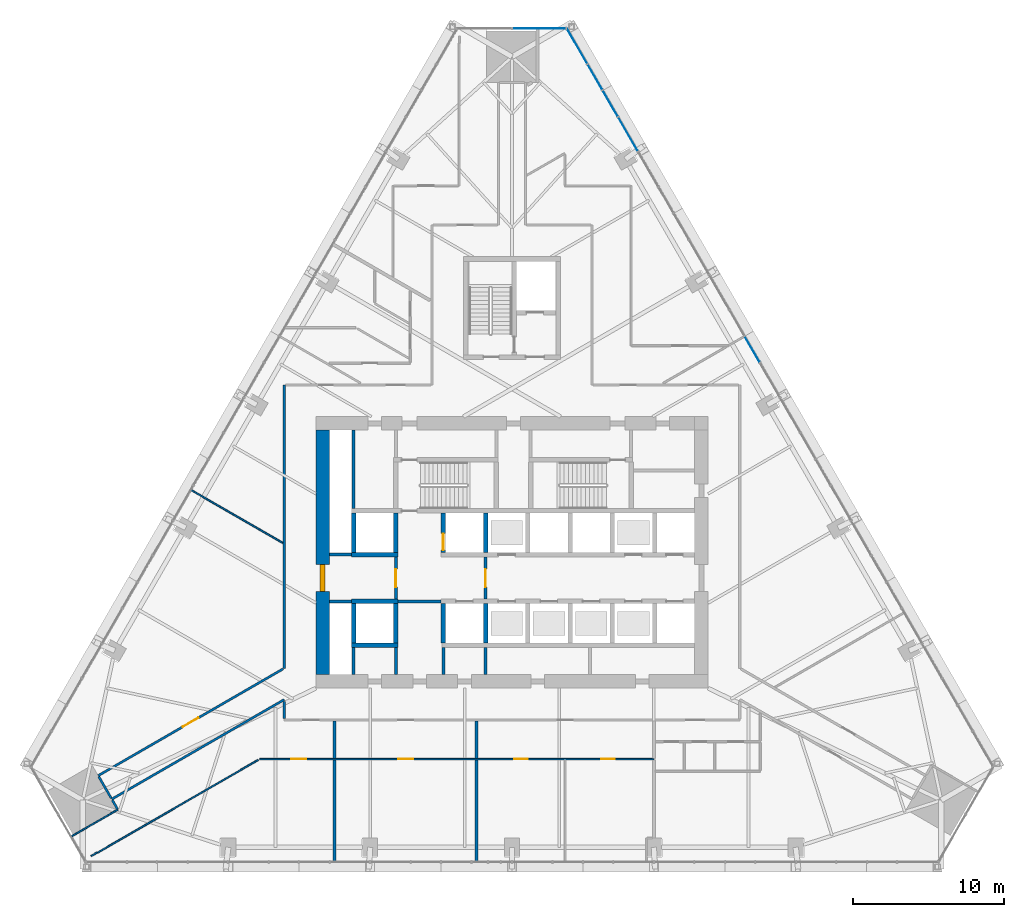
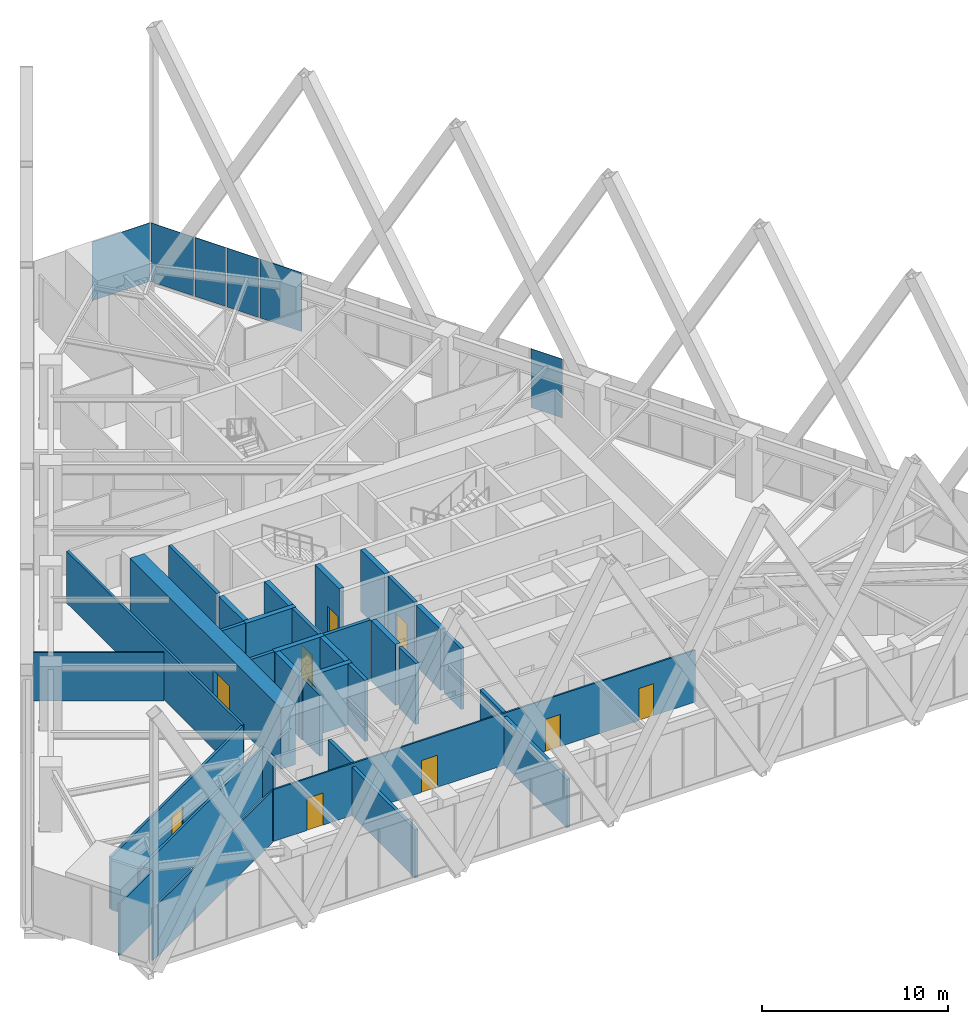
# One storey, part 15 of 21: 37 walls, 9 doors, 6 plates, 9 openings, 2 elements without a shape of their own.
"""IFC4 building model written with IfcOpenShell, lengths in metres."""

from ifc_helpers import new_model, si_unit, direction, frame, frame_2d, origin, place, context, subcontext, project, spatial, polyline, rectangle, outline, extrude, material, layer, layer_set, type_object, element, fill, aggregate, save


model = new_model("IFC4")

# Units and contexts
model_context = context("Model", 3, precision=1e-05, world=origin(), true_north=direction((0.0, 1.0)))
body_context = subcontext(model_context, "Body", "Model", "MODEL_VIEW")
ifc_project = project(units=[si_unit("LENGTHUNIT", "METRE"), si_unit("AREAUNIT", "SQUARE_METRE"), si_unit("VOLUMEUNIT", "CUBIC_METRE"), si_unit("PLANEANGLEUNIT", "RADIAN"), si_unit("MASSUNIT", "GRAM", prefix="KILO")], contexts=[model_context])

# Site, building, storey
site_placement = place(None, origin())
site = spatial("IfcSite", under=ifc_project, at=site_placement, CompositionType="ELEMENT")
building_placement = place(site_placement, origin())
building = spatial("IfcBuilding", under=site, at=building_placement, Name="Firuza Gate Tower and Library", CompositionType="ELEMENT")
storey_placement = place(building_placement, frame((0.0, 0.0, 90.39990234375)))
storey = spatial("IfcBuildingStorey", under=building, at=storey_placement, Name="L20", CompositionType="ELEMENT", Elevation=90.39990234375)

# Curtain wall, plate
ifc_material_1 = material(Name="Aluminium 6063-T6", Category="aluminium")
ifc_layer_1 = layer(ifc_material_1, 0.14990234375)
ifc_layer_set_1 = layer_set([ifc_layer_1], Name="Corner curtain wall, chamfers")
curtain_wall_type_1 = type_object("IfcCurtainWallType", Name="Corner curtain wall, chamfers", PredefinedType="NOTDEFINED", material=ifc_layer_set_1)
placement = place(storey_placement, origin())
curtain_wall_1 = element("IfcCurtainWall", 1, at=placement, inside=storey, type_object=curtain_wall_type_1, Name="CW4 L20 N corner", PredefinedType="NOTDEFINED")
ifc_material_2 = material(Name="Fritted glass", Category="glass")
ifc_layer_2 = layer(ifc_material_2, 0.030029296875)
ifc_layer_set_2 = layer_set([ifc_layer_2], Name="Fritted glass unit, corners")
plate_type_1 = type_object("IfcPlateType", Name="Fritted glass unit, corners", PredefinedType="CURTAIN_PANEL", material=ifc_layer_set_2)
plate_1_placement = place(storey_placement, frame((78.603271484375, 109.74267578125, 0.150146484375), z_axis=(0.0, 1.0, 0.0), x_axis=(-1.0, 0.0, 0.0)))
plate_1 = element("IfcPlate", 2, at=plate_1_placement, type_object=plate_type_1, Name="Glass unit", PredefinedType="CURTAIN_PANEL", context=body_context, shape_type="SweptSolid", body=[
    extrude(outline(polyline([(0.0, 0.0), (3.563232421875, 0.0), (3.563232421875, 3.849853515625), (0.0, 3.849853515625), (0.0, 0.0)])), origin(), (0.0, 0.0, -1.0), 0.030029296875),
])
aggregate(curtain_wall_1, [plate_1])

# Curtain wall, plates
ifc_material_3 = material(Name="Aluminium 6063-T6", Category="aluminium")
ifc_layer_3 = layer(ifc_material_3, 0.14990234375)
ifc_layer_set_3 = layer_set([ifc_layer_3], Name="Unitised curtain wall, offices")
curtain_wall_type_2 = type_object("IfcCurtainWallType", Name="Unitised curtain wall, offices", PredefinedType="NOTDEFINED", material=ifc_layer_set_3)
curtain_wall_2 = element("IfcCurtainWall", 3, at=placement, inside=storey, type_object=curtain_wall_type_2, Name="CW1 L20 E face", PredefinedType="NOTDEFINED")
ifc_material_4 = material(Name="Fritted glass", Category="glass")
ifc_layer_4 = layer(ifc_material_4, 0.030029296875)
ifc_layer_set_4 = layer_set([ifc_layer_4], Name="Fritted glass unit, offices")
plate_type_2 = type_object("IfcPlateType", Name="Fritted glass unit, offices", PredefinedType="CURTAIN_PANEL", material=ifc_layer_set_4)
plate_2_placement = place(storey_placement, frame((91.42041015625, 87.626953125, 0.150146484375), z_axis=(0.866016163673, 0.500016004, 0.0), x_axis=(-0.500016004, 0.866016163673, 0.0)))
plate_2 = element("IfcPlate", 4, at=plate_2_placement, type_object=plate_type_2, Name="Glass unit", PredefinedType="CURTAIN_PANEL", context=body_context, shape_type="SweptSolid", body=[
    extrude(outline(polyline([(0.0, 0.0), (1.9437854395637704, 0.0), (1.9437854395637704, 3.849853515625001), (0.0, 3.849853515625001), (0.0, 0.0)])), origin(), (0.0, 0.0, -1.0), 0.030029296875),
])
plate_3_placement = place(storey_placement, frame((82.01708984375, 103.9140625, 0.150146484375), z_axis=(0.866041328748, 0.499972416139, 0.0), x_axis=(-0.499972416139, 0.866041328748, 0.0)))
plate_3 = element("IfcPlate", 5, at=plate_3_placement, type_object=plate_type_2, Name="Glass unit", PredefinedType="CURTAIN_PANEL", context=body_context, shape_type="SweptSolid", body=[
    extrude(outline(polyline([(0.0, 0.0), (1.9727650829546393, 0.0), (1.9727650829546393, 3.849853515625), (0.0, 3.849853515625), (0.0, 0.0)])), origin(), (0.0, 0.0, -1.0), 0.030029296875),
])
plate_4_placement = place(storey_placement, frame((80.99072265625, 105.69189453125, 0.150146484375), z_axis=(0.866052964615, 0.499952260202, 0.0), x_axis=(-0.499952260202, 0.866052964615, 0.0)))
plate_4 = element("IfcPlate", 6, at=plate_4_placement, type_object=plate_type_2, Name="Glass unit", PredefinedType="CURTAIN_PANEL", context=body_context, shape_type="SweptSolid", body=[
    extrude(outline(polyline([(0.0, 0.0), (1.900572090855075, 0.0), (1.900572090855075, 3.849853515625), (0.0, 3.849853515625), (0.0, 0.0)])), origin(), (0.0, 0.0, -1.0), 0.030029296875),
])
ifc_material_5 = material(Name="Glazed ceramic tile")
ifc_layer_5 = layer(ifc_material_5, 0.030029296875)
ifc_layer_set_5 = layer_set([ifc_layer_5], Name="Opaque ceramic panel, offices")
plate_type_3 = type_object("IfcPlateType", Name="Opaque ceramic panel, offices", PredefinedType="CURTAIN_PANEL", material=ifc_layer_set_5)
plate_5_placement = place(storey_placement, frame((83.34521484375, 101.61376953125, 0.150146484375), z_axis=(0.866018294426, 0.500012313569, 0.0), x_axis=(-0.500012313569, 0.866018294426, 0.0)))
plate_5 = element("IfcPlate", 7, at=plate_5_placement, type_object=plate_type_3, Name="Opaque ceramic panel", PredefinedType="CURTAIN_PANEL", context=body_context, shape_type="SweptSolid", body=[
    extrude(outline(polyline([(0.0, 0.0), (2.576108432824416, 0.0), (2.576108432824416, 3.849853515625), (0.0, 3.849853515625), (0.0, 0.0)])), origin(), (0.0, 0.0, -1.0), 0.030029296875),
])
plate_6_placement = place(storey_placement, frame((80.00048828125, 107.406982421875, 0.150146484375), z_axis=(0.866010570869, 0.500025690483, 0.0), x_axis=(-0.500025690483, 0.866010570869, 0.0)))
plate_6 = element("IfcPlate", 8, at=plate_6_placement, type_object=plate_type_3, Name="Opaque ceramic panel", PredefinedType="CURTAIN_PANEL", context=body_context, shape_type="SweptSolid", body=[
    extrude(outline(polyline([(0.0, 0.0), (2.6483014277158157, 0.0), (2.6483014277158157, 3.849853515625001), (0.0, 3.849853515625001), (0.0, 0.0)])), origin(), (0.0, 0.0, -1.0), 0.030029296875),
])
aggregate(curtain_wall_2, [plate_2, plate_5, plate_3, plate_4, plate_6])

# Walls
ifc_material_6 = material(Name="Plasterboard on steel studs", Category="steel")
ifc_layer_6 = layer(ifc_material_6, 0.199951171875)
ifc_layer_set_6 = layer_set([ifc_layer_6], Name="Core partition 200 EI 120")
wall_type_1 = type_object("IfcWallType", Name="Core partition 200 EI 120", PredefinedType="PARTITIONING", material=ifc_layer_set_6)
wall_1_placement = place(storey_placement, frame((62.89990234375, 71.75, 0.0), z_axis=(0.0, 0.0, 1.0), x_axis=(1.0, 0.0, 0.0)))
element("IfcWall", 9, at=wall_1_placement, inside=storey, type_object=wall_type_1, Name="Core partition L20 1", PredefinedType="PARTITIONING", context=body_context, shape_type="SweptSolid", body=[
    extrude(rectangle(XDim=1.4501953125, YDim=0.199951171875, at=frame_2d((0.72509765625, 0.0))), origin(), (0.0, 0.0, 1.0), 4.0),
])
wall_2_placement = place(storey_placement, frame((67.449951171875, 71.75, 0.0), z_axis=(0.0, 0.0, 1.0), x_axis=(1.0, 0.0, 0.0)))
element("IfcWall", 10, at=wall_2_placement, inside=storey, type_object=wall_type_1, Name="Core partition L20 2", PredefinedType="PARTITIONING", context=body_context, shape_type="SweptSolid", body=[
    extrude(rectangle(XDim=2.85009765625, YDim=0.199951171875, at=frame_2d((1.425048828125, 0.0))), origin(), (0.0, 0.0, 1.0), 4.0),
])
wall_3_placement = place(storey_placement, frame((62.89990234375, 74.85009765625, 0.0), z_axis=(0.0, 0.0, 1.0), x_axis=(1.0, 0.0, 0.0)))
element("IfcWall", 11, at=wall_3_placement, inside=storey, type_object=wall_type_1, Name="Core partition L20 3", PredefinedType="PARTITIONING", context=body_context, shape_type="SweptSolid", body=[
    extrude(rectangle(XDim=1.4501953125, YDim=0.199951171875, at=frame_2d((0.72509765625, 0.0))), origin(), (0.0, 0.0, 1.0), 4.0),
])
wall_4_placement = place(storey_placement, frame((64.5, 66.89990234375, 0.0), z_axis=(0.0, 0.0, 1.0), x_axis=(0.0, 1.0, 0.0)))
element("IfcWall", 12, at=wall_4_placement, inside=storey, type_object=wall_type_1, Name="Core partition L20 5", PredefinedType="PARTITIONING", context=body_context, shape_type="SweptSolid", body=[
    extrude(rectangle(XDim=1.800048828125, YDim=0.199951171875, at=frame_2d((0.89990234375, 0.0))), origin(), (0.0, 0.0, 1.0), 4.0),
])
wall_5_placement = place(storey_placement, frame((64.5, 77.89990234375, 0.0), z_axis=(0.0, 0.0, 1.0), x_axis=(0.0, 1.0, 0.0)))
element("IfcWall", 13, at=wall_5_placement, inside=storey, type_object=wall_type_1, Name="Core partition L20 6", PredefinedType="PARTITIONING", context=body_context, shape_type="SweptSolid", body=[
    extrude(rectangle(XDim=5.2001953125, YDim=0.199951171875, at=frame_2d((2.60009765625, 0.0))), origin(), (0.0, 0.0, 1.0), 4.0),
])
for number, where, z_axis, x_axis, name in (
    (14, (67.300048828125, 66.89990234375, 0.0), (0.0, 0.0, 1.0), (0.0, 1.0, 0.0), "Core partition L20 7"),
    (15, (70.449951171875, 66.89990234375, 0.0), (0.0, 0.0, 1.0), (0.0, 1.0, 0.0), "Core partition L20 10"),
    (16, (73.25, 66.89990234375, 0.0), (0.0, 0.0, 1.0), (0.0, 1.0, 0.0), "Core partition L20 11"),
):
    element("IfcWall", number, at=place(storey_placement, frame(where, z_axis=z_axis, x_axis=x_axis)), inside=storey, type_object=wall_type_1, Name=name, PredefinedType="PARTITIONING", context=body_context, shape_type="SweptSolid", body=[
        extrude(rectangle(XDim=1.800048828125, YDim=0.199951171875, at=frame_2d((0.89990234375, 0.0))), origin(), (0.0, 0.0, 1.0), 4.0),
    ])

# Wall, opening, door
ifc_material_7 = material(Name="Plasterboard on steel studs", Category="steel")
ifc_layer_7 = layer(ifc_material_7, 0.199951171875)
ifc_layer_set_7 = layer_set([ifc_layer_7], Name="Core partition 200 EI 60")
wall_type_2 = type_object("IfcWallType", Name="Core partition 200 EI 60", PredefinedType="PARTITIONING", material=ifc_layer_set_7)
wall_6_placement = place(storey_placement, frame((67.300048828125, 71.89990234375, 0.0), z_axis=(0.0, 0.0, 1.0), x_axis=(0.0, 1.0, 0.0)))
wall_6 = element("IfcWall", 17, at=wall_6_placement, inside=storey, type_object=wall_type_2, Name="Core partition L20 8", PredefinedType="PARTITIONING", context=body_context, shape_type="SweptSolid", body=[
    extrude(rectangle(XDim=2.800048828125, YDim=0.199951171875, at=frame_2d((1.39990234375, 0.0))), origin(), (0.0, 0.0, 1.0), 4.0),
])
opening_1_placement = place(wall_6_placement, frame((0.800048828125, 0.0, 0.0)))
opening_1 = element("IfcOpeningElement", 18, at=opening_1_placement, cuts=wall_6, Name="Opening L20-K21", PredefinedType="OPENING", context=body_context, shape_type="SweptSolid", body=[
    extrude(rectangle(XDim=1.199951171875, YDim=2.10009765625, at=frame_2d((0.60009765625, 1.050048828125))), frame((0.0, 0.10986328125, 0.0), z_axis=(0.0, -1.0, 0.0), x_axis=(1.0, 0.0, 0.0)), (0.0, 0.0, 1.0), 0.219970703125),
])
ifc_material_8 = material(Name="Steel", Category="steel")
door_type_1 = type_object("IfcDoorType", Name="Fire door 1200x2100 FD90S", OperationType="NOTDEFINED", PredefinedType="DOOR", material=ifc_material_8)
door_1_placement = place(opening_1_placement, origin())
door_1 = element("IfcDoor", 19, at=door_1_placement, inside=storey, type_object=door_type_1, Name="Door L20-K21", OperationType="SINGLE_SWING_RIGHT", OverallHeight=2.10009765625, OverallWidth=1.199951171875, PredefinedType="DOOR", context=body_context, shape_type="SweptSolid", body=[
    extrude(rectangle(XDim=1.199951171875, YDim=2.10009765625, at=frame_2d((0.60009765625, 1.050048828125))), frame((0.0, 0.02490234375, 0.0), z_axis=(0.0, -1.0, 0.0), x_axis=(1.0, 0.0, 0.0)), (0.0, 0.0, 1.0), 0.050048828125),
])
fill(opening_1, door_1)

wall_7_placement = place(storey_placement, frame((73.25, 71.89990234375, 0.0), z_axis=(0.0, 0.0, 1.0), x_axis=(0.0, 1.0, 0.0)))
wall_7 = element("IfcWall", 20, at=wall_7_placement, inside=storey, type_object=wall_type_2, Name="Core partition L20 12", PredefinedType="PARTITIONING", context=body_context, shape_type="SweptSolid", body=[
    extrude(rectangle(XDim=2.800048828125, YDim=0.199951171875, at=frame_2d((1.39990234375, 0.0))), origin(), (0.0, 0.0, 1.0), 4.0),
])
opening_2_placement = place(wall_7_placement, frame((0.800048828125, 0.0, 0.0)))
opening_2 = element("IfcOpeningElement", 21, at=opening_2_placement, cuts=wall_7, Name="Opening L20-K20", PredefinedType="OPENING", context=body_context, shape_type="SweptSolid", body=[
    extrude(rectangle(XDim=1.199951171875, YDim=2.10009765625, at=frame_2d((0.60009765625, 1.050048828125))), frame((0.0, 0.10986328125, 0.0), z_axis=(0.0, -1.0, 0.0), x_axis=(1.0, 0.0, 0.0)), (0.0, 0.0, 1.0), 0.219970703125),
])
door_2_placement = place(opening_2_placement, origin())
door_2 = element("IfcDoor", 22, at=door_2_placement, inside=storey, type_object=door_type_1, Name="Door L20-K20", OperationType="SINGLE_SWING_LEFT", OverallHeight=2.10009765625, OverallWidth=1.199951171875, PredefinedType="DOOR", context=body_context, shape_type="SweptSolid", body=[
    extrude(rectangle(XDim=1.199951171875, YDim=2.10009765625, at=frame_2d((0.60009765625, 1.050048828125))), frame((0.0, 0.02490234375, 0.0), z_axis=(0.0, -1.0, 0.0), x_axis=(1.0, 0.0, 0.0)), (0.0, 0.0, 1.0), 0.050048828125),
])
fill(opening_2, door_2)

# Walls
ifc_material_9 = material(Name="Concrete C80/95", Category="concrete")
ifc_layer_8 = layer(ifc_material_9, 0.300048828125)
ifc_layer_set_8 = layer_set([ifc_layer_8], Name="Core wall 300 C80/95")
wall_type_3 = type_object("IfcWallType", Name="Core wall 300 C80/95", PredefinedType="SHEAR", material=ifc_layer_set_8)
for number, where, z_axis, x_axis, name in (
    (23, (64.35009765625, 68.85009765625, 0.0), (0.0, 0.0, 1.0), (1.0, 0.0, 0.0), "Core wall L20 5"),
    (24, (64.35009765625, 71.75, 0.0), (0.0, 0.0, 1.0), (1.0, 0.0, 0.0), "Core wall L20 7"),
    (25, (64.35009765625, 74.85009765625, 0.0), (0.0, 0.0, 1.0), (1.0, 0.0, 0.0), "Core wall L20 9"),
):
    element("IfcWall", number, at=place(storey_placement, frame(where, z_axis=z_axis, x_axis=x_axis)), inside=storey, type_object=wall_type_3, Name=name, PredefinedType="SHEAR", context=body_context, shape_type="SweptSolid", body=[
        extrude(rectangle(XDim=3.099853515625, YDim=0.300048828125, at=frame_2d((1.5498046875, 0.0))), origin(), (0.0, 0.0, 1.0), 4.0),
    ])
for number, where, z_axis, x_axis, name in (
    (26, (64.5, 69.0, 0.0), (0.0, 0.0, 1.0), (0.0, 1.0, 0.0), "Core wall L20 11"),
    (27, (64.5, 75.0, 0.0), (0.0, 0.0, 1.0), (0.0, 1.0, 0.0), "Core wall L20 12"),
    (28, (67.300048828125, 69.0, 0.0), (0.0, 0.0, 1.0), (0.0, 1.0, 0.0), "Core wall L20 13"),
    (29, (67.300048828125, 75.0, 0.0), (0.0, 0.0, 1.0), (0.0, 1.0, 0.0), "Core wall L20 14"),
    (30, (70.449951171875, 69.0, 0.0), (0.0, 0.0, 1.0), (0.0, 1.0, 0.0), "Core wall L20 15"),
):
    element("IfcWall", number, at=place(storey_placement, frame(where, z_axis=z_axis, x_axis=x_axis)), inside=storey, type_object=wall_type_3, Name=name, PredefinedType="SHEAR", context=body_context, shape_type="SweptSolid", body=[
        extrude(rectangle(XDim=2.60009765625, YDim=0.300048828125, at=frame_2d((1.300048828125, 0.0))), origin(), (0.0, 0.0, 1.0), 4.0),
    ])

# Wall, opening, door
wall_8_placement = place(storey_placement, frame((70.449951171875, 75.0, 0.0), z_axis=(0.0, 0.0, 1.0), x_axis=(0.0, 1.0, 0.0)))
wall_8 = element("IfcWall", 31, at=wall_8_placement, inside=storey, type_object=wall_type_3, Name="Core wall L20 16", PredefinedType="SHEAR", context=body_context, shape_type="SweptSolid", body=[
    extrude(rectangle(XDim=2.60009765625, YDim=0.300048828125, at=frame_2d((1.300048828125, 0.0))), origin(), (0.0, 0.0, 1.0), 4.0),
])
opening_3_placement = place(wall_8_placement, frame((0.14990234375, 0.0, 0.0)))
opening_3 = element("IfcOpeningElement", 32, at=opening_3_placement, cuts=wall_8, Name="Opening LD-FF2-L20", PredefinedType="OPENING", context=body_context, shape_type="SweptSolid", body=[
    extrude(rectangle(XDim=1.10009765625, YDim=2.10009765625, at=frame_2d((0.550048828125, 1.050048828125))), frame((0.0, 0.16015625, 0.0), z_axis=(0.0, -1.0, 0.0), x_axis=(1.0, 0.0, 0.0)), (0.0, 0.0, 1.0), 0.320068359375),
])
ifc_material_10 = material(Name="Stainless steel", Category="steel")
door_type_2 = type_object("IfcDoorType", Name="Lift landing door 1100x2100", OperationType="DOUBLE_DOOR_SLIDING", PredefinedType="DOOR", material=ifc_material_10)
door_3_placement = place(opening_3_placement, origin())
door_3 = element("IfcDoor", 33, at=door_3_placement, inside=storey, type_object=door_type_2, Name="Landing door FF2 L20", OperationType="DOUBLE_DOOR_SLIDING", OverallHeight=2.10009765625, OverallWidth=1.10009765625, PredefinedType="DOOR", context=body_context, shape_type="SweptSolid", body=[
    extrude(rectangle(XDim=1.10009765625, YDim=2.10009765625, at=frame_2d((0.550048828125, 1.050048828125))), frame((0.0, 0.02490234375, 0.0), z_axis=(0.0, -1.0, 0.0), x_axis=(1.0, 0.0, 0.0)), (0.0, 0.0, 1.0), 0.050048828125),
])
fill(opening_3, door_3)

# Walls
for number, where, z_axis, x_axis, name in (
    (34, (73.25, 69.0, 0.0), (0.0, 0.0, 1.0), (0.0, 1.0, 0.0), "Core wall L20 17"),
    (35, (73.25, 75.0, 0.0), (0.0, 0.0, 1.0), (0.0, 1.0, 0.0), "Core wall L20 18"),
):
    element("IfcWall", number, at=place(storey_placement, frame(where, z_axis=z_axis, x_axis=x_axis)), inside=storey, type_object=wall_type_3, Name=name, PredefinedType="SHEAR", context=body_context, shape_type="SweptSolid", body=[
        extrude(rectangle(XDim=2.60009765625, YDim=0.300048828125, at=frame_2d((1.300048828125, 0.0))), origin(), (0.0, 0.0, 1.0), 4.0),
    ])

# Wall, opening, door
ifc_material_11 = material(Name="Concrete C80/95", Category="concrete")
ifc_layer_9 = layer(ifc_material_11, 0.89990234375)
ifc_layer_set_9 = layer_set([ifc_layer_9], Name="Core wall 900 C80/95")
wall_type_4 = type_object("IfcWallType", Name="Core wall 900 C80/95", PredefinedType="SHEAR", material=ifc_layer_set_9)
wall_9_placement = place(storey_placement, frame((62.449951171875, 66.89990234375, 0.0), z_axis=(0.0, 0.0, 1.0), x_axis=(0.0, 1.0, 0.0)))
wall_9 = element("IfcWall", 36, at=wall_9_placement, inside=storey, type_object=wall_type_4, Name="Core wall L20 3", PredefinedType="SHEAR", context=body_context, shape_type="SweptSolid", body=[
    extrude(rectangle(XDim=16.2001953125, YDim=0.89990234375, at=frame_2d((8.10009765625, 0.0))), origin(), (0.0, 0.0, 1.0), 4.0),
])
opening_4_placement = place(wall_9_placement, frame((5.5, 0.0, 0.0)))
opening_4 = element("IfcOpeningElement", 37, at=opening_4_placement, cuts=wall_9, Name="Opening L20-K22", PredefinedType="OPENING", context=body_context, shape_type="SweptSolid", body=[
    extrude(rectangle(XDim=1.800048828125, YDim=2.10009765625, at=frame_2d((0.89990234375, 1.050048828125))), frame((0.0, 0.4599609375, 0.0), z_axis=(0.0, -1.0, 0.0), x_axis=(1.0, 0.0, 0.0)), (0.0, 0.0, 1.0), 0.919921875),
])
ifc_material_12 = material(Name="Steel", Category="steel")
door_type_3 = type_object("IfcDoorType", Name="Fire door 1800x2100 FD30S", OperationType="NOTDEFINED", PredefinedType="DOOR", material=ifc_material_12)
door_4_placement = place(opening_4_placement, origin())
door_4 = element("IfcDoor", 38, at=door_4_placement, inside=storey, type_object=door_type_3, Name="Door L20-K22", OperationType="SINGLE_SWING_LEFT", OverallHeight=2.10009765625, OverallWidth=1.800048828125, PredefinedType="DOOR", context=body_context, shape_type="SweptSolid", body=[
    extrude(rectangle(XDim=1.800048828125, YDim=2.10009765625, at=frame_2d((0.89990234375, 1.050048828125))), frame((0.0, 0.169921875, 0.0), z_axis=(0.0, -1.0, 0.0), x_axis=(1.0, 0.0, 0.0)), (0.0, 0.0, 1.0), 0.33984375),
])
fill(opening_4, door_4)

# Wall
ifc_material_13 = material(Name="Gypsum board partition")
ifc_layer_10 = layer(ifc_material_13, 0.14990234375)
ifc_layer_set_10 = layer_set([ifc_layer_10], Name="Corridor wall 150 double board on steel studs")
wall_type_5 = type_object("IfcWallType", Name="Corridor wall 150 double board on steel studs", PredefinedType="PARTITIONING", material=ifc_layer_set_10)
wall_10_placement = place(storey_placement, frame((48.470947265625, 58.644287109375, 0.0), z_axis=(0.0, 0.0, 1.0), x_axis=(0.86602138367, 0.500006962977, 0.0)))
element("IfcWall", 39, at=wall_10_placement, inside=storey, type_object=wall_type_5, Name="f:L20:w019", PredefinedType="PARTITIONING", context=body_context, shape_type="SweptSolid", body=[
    extrude(rectangle(XDim=13.197021484375, YDim=0.14990234375, at=frame_2d((6.5986328125, 0.0))), origin(), (0.0, 0.0, 1.0), 3.2470703125),
])

# Wall, opening, door
wall_11_placement = place(storey_placement, frame((47.5712890625, 60.203369140625, 0.0), z_axis=(0.0, 0.0, 1.0), x_axis=(0.866023815059, 0.500002751744, 0.0)))
wall_11 = element("IfcWall", 40, at=wall_11_placement, inside=storey, type_object=wall_type_5, Name="f:L20:w020", PredefinedType="PARTITIONING", context=body_context, shape_type="SweptSolid", body=[
    extrude(rectangle(XDim=14.1494140625, YDim=0.14990234375, at=frame_2d((7.07470703125, 0.0))), origin(), (0.0, 0.0, 1.0), 3.400146484375),
])
opening_5_placement = place(wall_11_placement, frame((6.474609375, 0.0, 0.0)))
opening_5 = element("IfcOpeningElement", 41, at=opening_5_placement, cuts=wall_11, Name="Opening L20-20", PredefinedType="OPENING", context=body_context, shape_type="SweptSolid", body=[
    extrude(rectangle(XDim=1.199951171875, YDim=2.10009765625, at=frame_2d((0.60009765625, 1.050048828125))), frame((0.0, 0.0849609375, 0.0), z_axis=(0.0, -1.0, 0.0), x_axis=(1.0, 0.0, 0.0)), (0.0, 0.0, 1.0), 0.169921875),
])
ifc_material_14 = material(Name="Steel door and timber leaf", Category="steel")
door_type_4 = type_object("IfcDoorType", Name="Fire door 1200 x 2100 steel frame, double leaf", OperationType="NOTDEFINED", PredefinedType="DOOR", material=ifc_material_14)
door_5_placement = place(opening_5_placement, origin())
door_5 = element("IfcDoor", 42, at=door_5_placement, inside=storey, type_object=door_type_4, Name="f:L20:d020", OperationType="DOUBLE_DOOR_SINGLE_SWING", OverallHeight=2.10009765625, OverallWidth=1.199951171875, PredefinedType="DOOR", context=body_context, shape_type="SweptSolid", body=[
    extrude(rectangle(XDim=1.199951171875, YDim=2.10009765625, at=frame_2d((0.60009765625, 1.050048828125))), frame((0.0, 0.02490234375, 0.0), z_axis=(0.0, -1.0, 0.0), x_axis=(1.0, 0.0, 0.0)), (0.0, 0.0, 1.0), 0.050048828125),
])
fill(opening_5, door_5)

# Walls
wall_12_placement = place(storey_placement, frame((59.89990234375, 63.9755859375, 0.0), z_axis=(0.0, 0.0, 1.0), x_axis=(0.0, 1.0, 0.0)))
element("IfcWall", 43, at=wall_12_placement, inside=storey, type_object=wall_type_5, Name="f:L20:w047", PredefinedType="PARTITIONING", context=body_context, shape_type="SweptSolid", body=[
    extrude(rectangle(XDim=1.130615234375, YDim=0.14990234375, at=frame_2d((0.5654296875, 0.0))), origin(), (0.0, 0.0, 1.0), 3.2470703125),
])
wall_13_placement = place(storey_placement, frame((59.89990234375, 67.3212890625, 0.0), z_axis=(0.0, 0.0, 1.0), x_axis=(0.0, 1.0, 0.0)))
element("IfcWall", 44, at=wall_13_placement, inside=storey, type_object=wall_type_5, Name="f:L20:w048", PredefinedType="PARTITIONING", context=body_context, shape_type="SweptSolid", body=[
    extrude(rectangle(XDim=18.7783203125, YDim=0.14990234375, at=frame_2d((9.38916015625, 0.0))), origin(), (0.0, 0.0, 1.0), 3.400146484375),
])
wall_14_placement = place(storey_placement, frame((48.845458984375, 57.9951171875, 0.0), z_axis=(0.0, 0.0, 1.0), x_axis=(-0.499837337514, 0.866119296648, 0.0)))
element("IfcWall", 45, at=wall_14_placement, inside=storey, type_object=wall_type_5, Name="f:L20:w049", PredefinedType="PARTITIONING", context=body_context, shape_type="SweptSolid", body=[
    extrude(rectangle(XDim=0.674560546875, YDim=0.14990234375, at=frame_2d((0.33740234375, 0.0))), origin(), (0.0, 0.0, 1.0), 3.400146484375),
])
wall_15_placement = place(storey_placement, frame((48.433349609375, 58.709228515625, 0.0), z_axis=(0.0, 0.0, 1.0), x_axis=(-0.500055614084, 0.865993292597, 0.0)))
element("IfcWall", 46, at=wall_15_placement, inside=storey, type_object=wall_type_5, Name="f:L20:w061", PredefinedType="PARTITIONING", context=body_context, shape_type="SweptSolid", body=[
    extrude(rectangle(XDim=1.649169921875, YDim=0.14990234375, at=frame_2d((0.82470703125, 0.0))), origin(), (0.0, 0.0, 1.0), 3.2470703125),
])
ifc_material_15 = material(Name="Gypsum board partition")
ifc_layer_11 = layer(ifc_material_15, 0.199951171875)
ifc_layer_set_11 = layer_set([ifc_layer_11], Name="Demising wall 200 acoustic double stud")
wall_type_6 = type_object("IfcWallType", Name="Demising wall 200 acoustic double stud", PredefinedType="PARTITIONING", material=ifc_layer_set_11)
for number, where, z_axis, x_axis, name in (
    (47, (72.64892578125, 54.495849609375, 0.0), (0.0, 0.0, 1.0), (0.0, 1.0, 0.0), "f:L20:w039"),
    (48, (63.24609375, 54.495849609375, 0.0), (0.0, 0.0, 1.0), (0.0, 1.0, 0.0), "f:L20:w046"),
):
    element("IfcWall", number, at=place(storey_placement, frame(where, z_axis=z_axis, x_axis=x_axis)), inside=storey, type_object=wall_type_6, Name=name, PredefinedType="PARTITIONING", context=body_context, shape_type="SweptSolid", body=[
        extrude(rectangle(XDim=6.754150390625, YDim=0.199951171875, at=frame_2d((3.376953125, 0.0))), origin(), (0.0, 0.0, 1.0), 3.1650390625),
    ])
for number, where, z_axis, x_axis, name in (
    (49, (72.64892578125, 61.35009765625, 0.0), (0.0, 0.0, 1.0), (0.0, 1.0, 0.0), "f:L20:w063"),
    (50, (63.24609375, 61.35009765625, 0.0), (0.0, 0.0, 1.0), (0.0, 1.0, 0.0), "f:L20:w064"),
):
    element("IfcWall", number, at=place(storey_placement, frame(where, z_axis=z_axis, x_axis=x_axis)), inside=storey, type_object=wall_type_6, Name=name, PredefinedType="PARTITIONING", context=body_context, shape_type="SweptSolid", body=[
        extrude(rectangle(XDim=2.474853515625, YDim=0.199951171875, at=frame_2d((1.2373046875, 0.0))), origin(), (0.0, 0.0, 1.0), 3.400146484375),
    ])

# Wall, openings, doors
ifc_material_16 = material(Name="Gypsum board partition")
ifc_layer_12 = layer(ifc_material_16, 0.10009765625)
ifc_layer_set_12 = layer_set([ifc_layer_12], Name="Partition 100 gypsum board on steel studs")
wall_type_7 = type_object("IfcWallType", Name="Partition 100 gypsum board on steel studs", PredefinedType="PARTITIONING", material=ifc_layer_set_12)
wall_16_placement = place(storey_placement, frame((84.4033203125, 61.300048828125, 0.0), z_axis=(0.0, 0.0, 1.0), x_axis=(-1.0, 0.0, 0.0)))
wall_16 = element("IfcWall", 51, at=wall_16_placement, inside=storey, type_object=wall_type_7, Name="f:L20:w002", PredefinedType="PARTITIONING", context=body_context, shape_type="SweptSolid", body=[
    extrude(rectangle(XDim=26.13232421875, YDim=0.10009765625, at=frame_2d((13.066162109375, 0.0))), origin(), (0.0, 0.0, 1.0), 3.400146484375),
])
opening_6_placement = place(wall_16_placement, frame((2.590087890625, 0.0, 0.0)))
opening_6 = element("IfcOpeningElement", 52, at=opening_6_placement, cuts=wall_16, Name="Opening L20-01", PredefinedType="OPENING", context=body_context, shape_type="SweptSolid", body=[
    extrude(rectangle(XDim=0.89990234375, YDim=2.10009765625, at=frame_2d((0.449951171875, 1.050048828125))), frame((0.0, 0.06005859375, 0.0), z_axis=(0.0, -1.0, 0.0), x_axis=(1.0, 0.0, 0.0)), (0.0, 0.0, 1.0), 0.1201171875),
])
opening_7_placement = place(wall_16_placement, frame((8.3642578125, 0.0, 0.0)))
opening_7 = element("IfcOpeningElement", 53, at=opening_7_placement, cuts=wall_16, Name="Opening L20-02", PredefinedType="OPENING", context=body_context, shape_type="SweptSolid", body=[
    extrude(rectangle(XDim=0.89990234375, YDim=2.10009765625, at=frame_2d((0.449951171875, 1.050048828125))), frame((0.0, 0.06005859375, 0.0), z_axis=(0.0, -1.0, 0.0), x_axis=(1.0, 0.0, 0.0)), (0.0, 0.0, 1.0), 0.1201171875),
])
opening_8_placement = place(wall_16_placement, frame((15.955810546875, 0.0, 0.0)))
opening_8 = element("IfcOpeningElement", 54, at=opening_8_placement, cuts=wall_16, Name="Opening L20-03", PredefinedType="OPENING", context=body_context, shape_type="SweptSolid", body=[
    extrude(rectangle(XDim=1.0, YDim=2.10009765625, at=frame_2d((0.5, 1.050048828125))), frame((0.0, 0.06005859375, 0.0), z_axis=(0.0, -1.0, 0.0), x_axis=(1.0, 0.0, 0.0)), (0.0, 0.0, 1.0), 0.1201171875),
])
opening_9_placement = place(wall_16_placement, frame((23.044921875, 0.0, 0.0)))
opening_9 = element("IfcOpeningElement", 55, at=opening_9_placement, cuts=wall_16, Name="Opening L20-04", PredefinedType="OPENING", context=body_context, shape_type="SweptSolid", body=[
    extrude(rectangle(XDim=1.0, YDim=2.10009765625, at=frame_2d((0.5, 1.050048828125))), frame((0.0, 0.06005859375, 0.0), z_axis=(0.0, -1.0, 0.0), x_axis=(1.0, 0.0, 0.0)), (0.0, 0.0, 1.0), 0.1201171875),
])
ifc_material_17 = material(Name="Timber door", Category="wood")
door_type_5 = type_object("IfcDoorType", Name="Door 1000 x 2100 timber leaf", OperationType="NOTDEFINED", PredefinedType="DOOR", material=ifc_material_17)
door_6_placement = place(opening_8_placement, origin())
door_6 = element("IfcDoor", 56, at=door_6_placement, inside=storey, type_object=door_type_5, Name="f:L20:d003", OperationType="SINGLE_SWING_RIGHT", OverallHeight=2.10009765625, OverallWidth=1.0, PredefinedType="DOOR", context=body_context, shape_type="SweptSolid", body=[
    extrude(rectangle(XDim=1.0, YDim=2.10009765625, at=frame_2d((0.5, 1.050048828125))), frame((0.0, 0.02490234375, 0.0), z_axis=(0.0, -1.0, 0.0), x_axis=(1.0, 0.0, 0.0)), (0.0, 0.0, 1.0), 0.050048828125),
])
fill(opening_8, door_6)
door_7_placement = place(opening_9_placement, origin())
door_7 = element("IfcDoor", 57, at=door_7_placement, inside=storey, type_object=door_type_5, Name="f:L20:d004", OperationType="SINGLE_SWING_RIGHT", OverallHeight=2.10009765625, OverallWidth=1.0, PredefinedType="DOOR", context=body_context, shape_type="SweptSolid", body=[
    extrude(rectangle(XDim=1.0, YDim=2.10009765625, at=frame_2d((0.5, 1.050048828125))), frame((0.0, 0.02490234375, 0.0), z_axis=(0.0, -1.0, 0.0), x_axis=(1.0, 0.0, 0.0)), (0.0, 0.0, 1.0), 0.050048828125),
])
fill(opening_9, door_7)
ifc_material_18 = material(Name="Timber door", Category="wood")
door_type_6 = type_object("IfcDoorType", Name="Door 900 x 2100 timber leaf", OperationType="NOTDEFINED", PredefinedType="DOOR", material=ifc_material_18)
door_8_placement = place(opening_6_placement, origin())
door_8 = element("IfcDoor", 58, at=door_8_placement, inside=storey, type_object=door_type_6, Name="f:L20:d001", OperationType="SINGLE_SWING_RIGHT", OverallHeight=2.10009765625, OverallWidth=0.89990234375, PredefinedType="DOOR", context=body_context, shape_type="SweptSolid", body=[
    extrude(rectangle(XDim=0.89990234375, YDim=2.10009765625, at=frame_2d((0.449951171875, 1.050048828125))), frame((0.0, 0.02490234375, 0.0), z_axis=(0.0, -1.0, 0.0), x_axis=(1.0, 0.0, 0.0)), (0.0, 0.0, 1.0), 0.050048828125),
])
fill(opening_6, door_8)
door_9_placement = place(opening_7_placement, origin())
door_9 = element("IfcDoor", 59, at=door_9_placement, inside=storey, type_object=door_type_6, Name="f:L20:d002", OperationType="SINGLE_SWING_LEFT", OverallHeight=2.10009765625, OverallWidth=0.89990234375, PredefinedType="DOOR", context=body_context, shape_type="SweptSolid", body=[
    extrude(rectangle(XDim=0.89990234375, YDim=2.10009765625, at=frame_2d((0.449951171875, 1.050048828125))), frame((0.0, 0.02490234375, 0.0), z_axis=(0.0, -1.0, 0.0), x_axis=(1.0, 0.0, 0.0)), (0.0, 0.0, 1.0), 0.050048828125),
])
fill(opening_7, door_9)

# Walls
wall_17_placement = place(storey_placement, frame((47.519287109375, 55.0927734375, 0.0), z_axis=(0.0, 0.0, 1.0), x_axis=(0.866028767292, 0.499994174189, 0.0)))
element("IfcWall", 60, at=wall_17_placement, inside=storey, type_object=wall_type_7, Name="f:L20:w016", PredefinedType="PARTITIONING", context=body_context, shape_type="SweptSolid", body=[
    extrude(rectangle(XDim=12.314697265625, YDim=0.10009765625, at=frame_2d((6.1572265625, 0.0))), origin(), (0.0, 0.0, 1.0), 3.400146484375),
])
wall_18_placement = place(storey_placement, frame((47.10009765625, 54.87255859375, 0.0), z_axis=(0.0, 0.0, 1.0), x_axis=(0.865944638795, 0.50013986298, 0.0)))
element("IfcWall", 61, at=wall_18_placement, inside=storey, type_object=wall_type_7, Name="f:L20:w017", PredefinedType="PARTITIONING", context=body_context, shape_type="SweptSolid", body=[
    extrude(rectangle(XDim=0.472412109375, YDim=0.10009765625, at=frame_2d((0.236328125, 0.0))), origin(), (0.0, 0.0, 1.0), 3.400146484375),
])
wall_19_placement = place(storey_placement, frame((45.787841796875, 56.17138671875, 0.0), z_axis=(0.0, 0.0, 1.0), x_axis=(0.866031398331, 0.499989616998, 0.0)))
element("IfcWall", 62, at=wall_19_placement, inside=storey, type_object=wall_type_7, Name="f:L20:w018", PredefinedType="PARTITIONING", context=body_context, shape_type="SweptSolid", body=[
    extrude(rectangle(XDim=3.5595703125, YDim=0.10009765625, at=frame_2d((1.77978515625, 0.0))), origin(), (0.0, 0.0, 1.0), 3.400146484375),
])
wall_20_placement = place(storey_placement, frame((59.798828125, 75.63232421875, 0.0), z_axis=(0.0, 0.0, 1.0), x_axis=(-0.866018287837, 0.500012324981, 0.0)))
element("IfcWall", 63, at=wall_20_placement, inside=storey, type_object=wall_type_7, Name="f:L20:w057", PredefinedType="PARTITIONING", context=body_context, shape_type="SweptSolid", body=[
    extrude(rectangle(XDim=7.023193359375, YDim=0.10009765625, at=frame_2d((3.51171875, 0.0))), origin(), (0.0, 0.0, 1.0), 3.1650390625),
])

save(model, "model.ifc")
